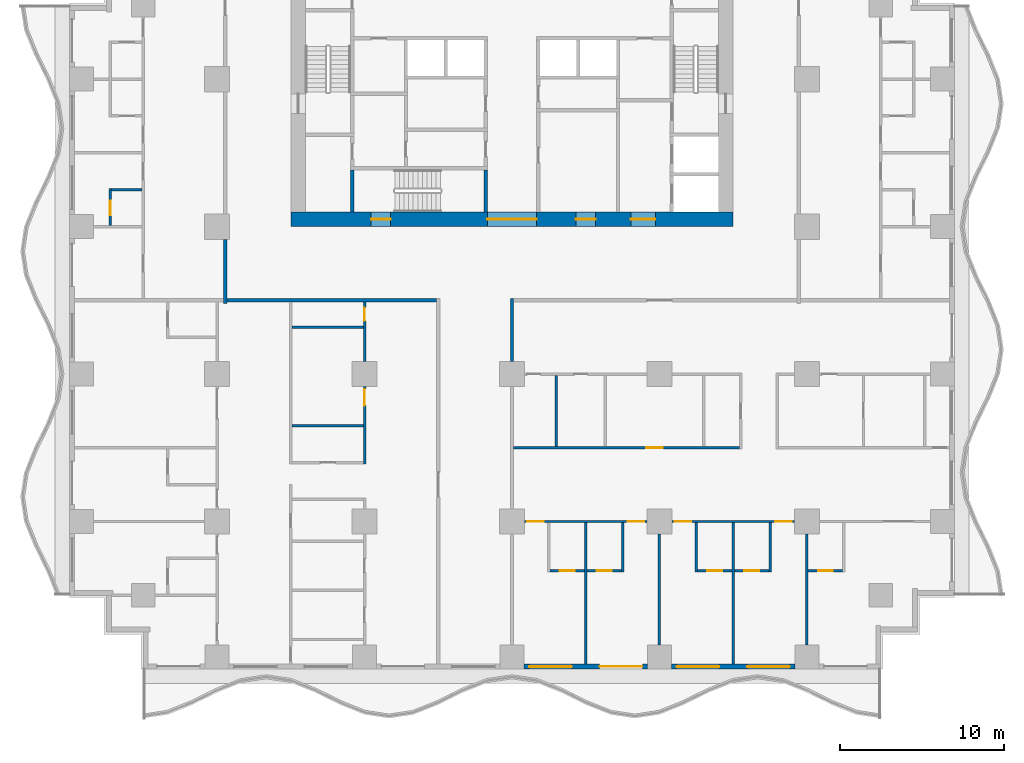
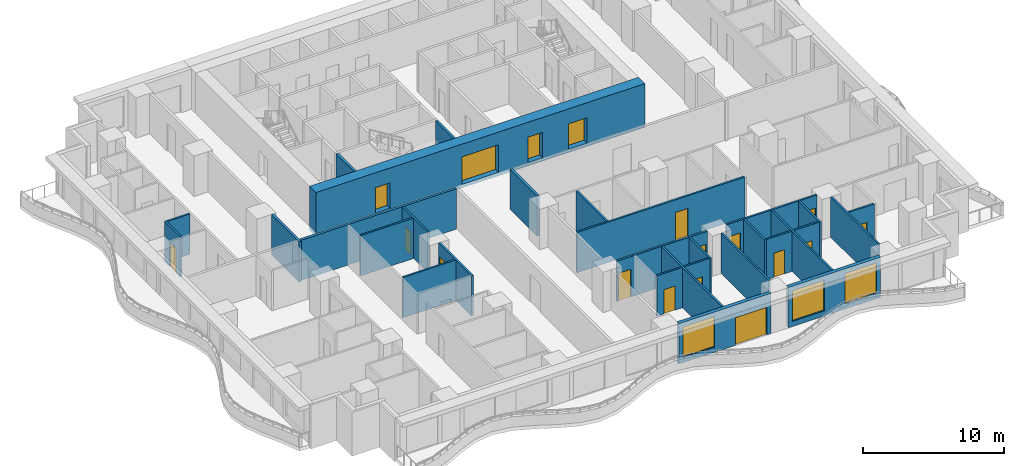
# One storey, part 3 of 14: 30 walls, 18 doors, 3 windows, 21 openings.
"""IFC4 building model written with IfcOpenShell, lengths in metres."""

from ifc_helpers import new_model, si_unit, direction, frame, frame_2d, origin, place, context, subcontext, project, spatial, rectangle, extrude, material, layer, layer_set, type_object, element, fill, save


model = new_model("IFC4")

# Units and contexts
model_context = context("Model", 3, precision=1e-05, world=origin(), true_north=direction((0.0, 1.0)))
body_context = subcontext(model_context, "Body", "Model", "MODEL_VIEW")
ifc_project = project(units=[si_unit("LENGTHUNIT", "METRE"), si_unit("AREAUNIT", "SQUARE_METRE"), si_unit("VOLUMEUNIT", "CUBIC_METRE"), si_unit("PLANEANGLEUNIT", "RADIAN"), si_unit("MASSUNIT", "GRAM", prefix="KILO")], contexts=[model_context])

# Site, building, storey
site_placement = place(None, origin())
site = spatial("IfcSite", under=ifc_project, at=site_placement, CompositionType="ELEMENT")
building_placement = place(site_placement, origin())
building = spatial("IfcBuilding", under=site, at=building_placement, Name="Orbiselva Terraces", CompositionType="ELEMENT")
storey_placement = place(building_placement, frame((0.0, 0.0, 22.6)))
storey = spatial("IfcBuildingStorey", under=building, at=storey_placement, Name="L05", CompositionType="ELEMENT", Elevation=22.6)

# Wall, openings, doors
ifc_material_1 = material(Name="Concrete C80/95", Category="concrete")
ifc_layer_1 = layer(ifc_material_1, 0.9)
ifc_layer_set_1 = layer_set([ifc_layer_1], Name="Concrete C80/95")
wall_type_1 = type_object("IfcWallType", Name="CORE WALL 900", PredefinedType="SHEAR", material=ifc_layer_set_1)
wall_1_placement = place(storey_placement, frame((-13.5, 4.95, -0.3), z_axis=(0.0, 0.0, 1.0), x_axis=(1.0, 0.0, 0.0)))
wall_1 = element("IfcWall", 1, at=wall_1_placement, inside=storey, type_object=wall_type_1, Name="Core wall L05 south", PredefinedType="SHEAR", context=body_context, shape_type="SweptSolid", body=[
    extrude(rectangle(XDim=27.0, YDim=0.9, at=frame_2d((13.5, 0.0))), origin(), (0.0, 0.0, 1.0), 3.8),
])
opening_1_placement = place(wall_1_placement, frame((12.0, 0.0, 0.3)))
opening_1 = element("IfcOpeningElement", 2, at=opening_1_placement, cuts=wall_1, Name="Opening DL3000", PredefinedType="OPENING", context=body_context, shape_type="SweptSolid", body=[
    extrude(rectangle(XDim=3.0, YDim=2.4, at=frame_2d((1.5, 1.2))), frame((0.0, 0.46, 0.0), z_axis=(0.0, -1.0, 0.0), x_axis=(1.0, 0.0, 0.0)), (0.0, 0.0, 1.0), 0.92),
])
opening_2_placement = place(wall_1_placement, frame((4.9, 0.0, 0.3)))
opening_2 = element("IfcOpeningElement", 3, at=opening_2_placement, cuts=wall_1, Name="Opening DS1200", PredefinedType="OPENING", context=body_context, shape_type="SweptSolid", body=[
    extrude(rectangle(XDim=1.2, YDim=2.2, at=frame_2d((0.6, 1.1))), frame((0.0, 0.46, 0.0), z_axis=(0.0, -1.0, 0.0), x_axis=(1.0, 0.0, 0.0)), (0.0, 0.0, 1.0), 0.92),
])
opening_3_placement = place(wall_1_placement, frame((20.75, 0.0, 0.3)))
opening_3 = element("IfcOpeningElement", 4, at=opening_3_placement, cuts=wall_1, Name="Opening DF1500", PredefinedType="OPENING", context=body_context, shape_type="SweptSolid", body=[
    extrude(rectangle(XDim=1.5, YDim=2.2, at=frame_2d((0.75, 1.1))), frame((0.0, 0.46, 0.0), z_axis=(0.0, -1.0, 0.0), x_axis=(1.0, 0.0, 0.0)), (0.0, 0.0, 1.0), 0.92),
])
opening_4_placement = place(wall_1_placement, frame((17.4, 0.0, 0.3)))
opening_4 = element("IfcOpeningElement", 5, at=opening_4_placement, cuts=wall_1, Name="Opening DV1200", PredefinedType="OPENING", context=body_context, shape_type="SweptSolid", body=[
    extrude(rectangle(XDim=1.2, YDim=2.2, at=frame_2d((0.6, 1.1))), frame((0.0, 0.46, 0.0), z_axis=(0.0, -1.0, 0.0), x_axis=(1.0, 0.0, 0.0)), (0.0, 0.0, 1.0), 0.92),
])
ifc_material_2 = material(Name="Steel fire door", Category="steel")
door_type_1 = type_object("IfcDoorType", Name="FFL DOOR 1500", OperationType="DOUBLE_DOOR_SINGLE_SWING", PredefinedType="DOOR", material=ifc_material_2)
door_1_placement = place(opening_3_placement, frame((1.5, 0.0, 0.0), z_axis=(0.0, 0.0, 1.0), x_axis=(-1.0, 0.0, 0.0)))
door_1 = element("IfcDoor", 6, at=door_1_placement, inside=storey, type_object=door_type_1, Name="L05 FIRE-FIGHTING LOBBY door", OperationType="DOUBLE_DOOR_SINGLE_SWING", OverallHeight=2.2, OverallWidth=1.5, PredefinedType="DOOR", context=body_context, shape_type="SweptSolid", body=[
    extrude(rectangle(XDim=1.5, YDim=2.2, at=frame_2d((0.75, 1.1))), frame((0.0, 0.025, 0.0), z_axis=(0.0, -1.0, 0.0), x_axis=(1.0, 0.0, 0.0)), (0.0, 0.0, 1.0), 0.05),
])
fill(opening_3, door_1)
door_type_2 = type_object("IfcDoorType", Name="LOBBY DOOR 3000", OperationType="DOUBLE_DOOR_SINGLE_SWING", PredefinedType="DOOR", material=ifc_material_2)
door_2_placement = place(opening_1_placement, frame((3.0, 0.0, 0.0), z_axis=(0.0, 0.0, 1.0), x_axis=(-1.0, 0.0, 0.0)))
door_2 = element("IfcDoor", 7, at=door_2_placement, inside=storey, type_object=door_type_2, Name="L05 LIFT LOBBY door", OperationType="DOUBLE_DOOR_SINGLE_SWING", OverallHeight=2.4, OverallWidth=3.0, PredefinedType="DOOR", context=body_context, shape_type="SweptSolid", body=[
    extrude(rectangle(XDim=3.0, YDim=2.4, at=frame_2d((1.5, 1.2))), frame((0.0, 0.025, 0.0), z_axis=(0.0, -1.0, 0.0), x_axis=(1.0, 0.0, 0.0)), (0.0, 0.0, 1.0), 0.05),
])
fill(opening_1, door_2)
door_type_3 = type_object("IfcDoorType", Name="SERVICE DOOR 1200", OperationType="NOTDEFINED", PredefinedType="DOOR", material=ifc_material_2)
door_3_placement = place(opening_4_placement, frame((1.2, 0.0, 0.0), z_axis=(0.0, 0.0, 1.0), x_axis=(-1.0, 0.0, 0.0)))
door_3 = element("IfcDoor", 8, at=door_3_placement, inside=storey, type_object=door_type_3, Name="L05 SERVICE ROOM door", OperationType="SINGLE_SWING_RIGHT", OverallHeight=2.2, OverallWidth=1.2, PredefinedType="DOOR", context=body_context, shape_type="SweptSolid", body=[
    extrude(rectangle(XDim=1.2, YDim=2.2, at=frame_2d((0.6, 1.1))), frame((0.0, 0.025, 0.0), z_axis=(0.0, -1.0, 0.0), x_axis=(1.0, 0.0, 0.0)), (0.0, 0.0, 1.0), 0.05),
])
fill(opening_4, door_3)
door_type_4 = type_object("IfcDoorType", Name="STAIR DOOR 1200", OperationType="NOTDEFINED", PredefinedType="DOOR", material=ifc_material_2)
door_4_placement = place(opening_2_placement, frame((1.2, 0.0, 0.0), z_axis=(0.0, 0.0, 1.0), x_axis=(-1.0, 0.0, 0.0)))
door_4 = element("IfcDoor", 9, at=door_4_placement, inside=storey, type_object=door_type_4, Name="L05 EXIT STAIR S3 door", OperationType="SINGLE_SWING_LEFT", OverallHeight=2.2, OverallWidth=1.2, PredefinedType="DOOR", context=body_context, shape_type="SweptSolid", body=[
    extrude(rectangle(XDim=1.2, YDim=2.2, at=frame_2d((0.6, 1.1))), frame((0.0, 0.025, 0.0), z_axis=(0.0, -1.0, 0.0), x_axis=(1.0, 0.0, 0.0)), (0.0, 0.0, 1.0), 0.05),
])
fill(opening_2, door_4)

# Walls
ifc_material_3 = material(Name="Concrete C60/75", Category="concrete")
ifc_layer_2 = layer(ifc_material_3, 0.2)
ifc_layer_set_2 = layer_set([ifc_layer_2], Name="Concrete C60/75")
wall_type_2 = type_object("IfcWallType", Name="CORE-WALL-SHEAR-200", PredefinedType="SHEAR", material=ifc_layer_set_2)
for number, where, z_axis, x_axis, name in (
    (10, (-9.75, 5.4, 0.0), (0.0, 0.0, 1.0), (0.0, 1.0, 0.0), "L05 core wall 03"),
    (11, (-1.6, 5.4, 0.0), (0.0, 0.0, 1.0), (0.0, 1.0, 0.0), "L05 core wall 24"),
):
    element("IfcWall", number, at=place(storey_placement, frame(where, z_axis=z_axis, x_axis=x_axis)), inside=storey, type_object=wall_type_2, Name=name, PredefinedType="SHEAR", context=body_context, shape_type="SweptSolid", body=[
        extrude(rectangle(XDim=2.55, YDim=0.2, at=frame_2d((1.275, 0.0))), origin(), (0.0, 0.0, 1.0), 3.5),
    ])

# Wall, openings, door, window
ifc_material_4 = material(Name="Terracotta cladding on masonry backing", Category="masonry")
ifc_layer_3 = layer(ifc_material_4, 0.3)
ifc_layer_set_3 = layer_set([ifc_layer_3], Name="Terracotta cladding on masonry backing")
wall_type_3 = type_object("IfcWallType", Name="ENV-WALL-TERRACOTTA-300", PredefinedType="SOLIDWALL", material=ifc_layer_set_3)
wall_2_placement = place(storey_placement, frame((8.275, -22.35, 0.0), z_axis=(0.0, 0.0, 1.0), x_axis=(-1.0, 0.0, 0.0)))
wall_2 = element("IfcWall", 12, at=wall_2_placement, inside=storey, type_object=wall_type_3, Name="Facade wall L05 S", PredefinedType="SOLIDWALL", context=body_context, shape_type="SweptSolid", body=[
    extrude(rectangle(XDim=7.55, YDim=0.3, at=frame_2d((3.775, 0.0))), origin(), (0.0, 0.0, 1.0), 3.5),
])
opening_5_placement = place(wall_2_placement, frame((4.625, 0.0, 0.45)))
opening_5 = element("IfcOpeningElement", 13, at=opening_5_placement, cuts=wall_2, Name="Opening WN1", PredefinedType="OPENING", context=body_context, shape_type="SweptSolid", body=[
    extrude(rectangle(XDim=2.6, YDim=2.65, at=frame_2d((1.3, 1.325))), frame((0.0, 0.16, 0.0), z_axis=(0.0, -1.0, 0.0), x_axis=(1.0, 0.0, 0.0)), (0.0, 0.0, 1.0), 0.32),
])
opening_6_placement = place(wall_2_placement, frame((0.325, 0.0, 0.0)))
opening_6 = element("IfcOpeningElement", 14, at=opening_6_placement, cuts=wall_2, Name="Opening Z1-A-E13", PredefinedType="OPENING", context=body_context, shape_type="SweptSolid", body=[
    extrude(rectangle(XDim=2.6, YDim=2.4, at=frame_2d((1.3, 1.2))), frame((0.0, 0.16, 0.0), z_axis=(0.0, -1.0, 0.0), x_axis=(1.0, 0.0, 0.0)), (0.0, 0.0, 1.0), 0.32),
])
ifc_material_5 = material(Name="Clear low-e glazing in aluminium frame", Category="aluminium")
door_type_5 = type_object("IfcDoorType", Name="BALCONY DOOR 2600 X 2400", OperationType="DOUBLE_DOOR_SLIDING", PredefinedType="DOOR", material=ifc_material_5)
door_5_placement = place(opening_6_placement, origin())
door_5 = element("IfcDoor", 15, at=door_5_placement, inside=storey, type_object=door_type_5, Name="Z1-A-E13", OperationType="SINGLE_SWING_LEFT", OverallHeight=2.4, OverallWidth=2.6, PredefinedType="DOOR", context=body_context, shape_type="SweptSolid", body=[
    extrude(rectangle(XDim=2.6, YDim=2.4, at=frame_2d((1.3, 1.2))), frame((0.0, 0.025, 0.0), z_axis=(0.0, -1.0, 0.0), x_axis=(1.0, 0.0, 0.0)), (0.0, 0.0, 1.0), 0.05),
])
fill(opening_6, door_5)
window_type = type_object("IfcWindowType", Name="WINDOW 2600 X 2650 S450", PartitioningType="TRIPLE_PANEL_VERTICAL", PredefinedType="WINDOW", material=ifc_material_5)
window_1_placement = place(opening_5_placement, origin())
window_1 = element("IfcWindow", 16, at=window_1_placement, inside=storey, type_object=window_type, Name="Window L05 S", OverallHeight=2.65, OverallWidth=2.6, PartitioningType="SINGLE_PANEL", PredefinedType="WINDOW", context=body_context, shape_type="SweptSolid", body=[
    extrude(rectangle(XDim=2.6, YDim=2.65, at=frame_2d((1.3, 1.325))), frame((0.0, 0.03, 0.0), z_axis=(0.0, -1.0, 0.0), x_axis=(1.0, 0.0, 0.0)), (0.0, 0.0, 1.0), 0.06),
])
fill(opening_5, window_1)

# Wall, openings, windows
wall_3_placement = place(storey_placement, frame((17.275, -22.35, 0.0), z_axis=(0.0, 0.0, 1.0), x_axis=(-1.0, 0.0, 0.0)))
wall_3 = element("IfcWall", 17, at=wall_3_placement, inside=storey, type_object=wall_type_3, Name="Facade wall L05 S", PredefinedType="SOLIDWALL", context=body_context, shape_type="SweptSolid", body=[
    extrude(rectangle(XDim=7.55, YDim=0.3, at=frame_2d((3.775, 0.0))), origin(), (0.0, 0.0, 1.0), 3.5),
])
opening_7_placement = place(wall_3_placement, frame((4.625, 0.0, 0.45)))
opening_7 = element("IfcOpeningElement", 18, at=opening_7_placement, cuts=wall_3, Name="Opening WN1", PredefinedType="OPENING", context=body_context, shape_type="SweptSolid", body=[
    extrude(rectangle(XDim=2.6, YDim=2.65, at=frame_2d((1.3, 1.325))), frame((0.0, 0.16, 0.0), z_axis=(0.0, -1.0, 0.0), x_axis=(1.0, 0.0, 0.0)), (0.0, 0.0, 1.0), 0.32),
])
opening_8_placement = place(wall_3_placement, frame((0.325, 0.0, 0.45)))
opening_8 = element("IfcOpeningElement", 19, at=opening_8_placement, cuts=wall_3, Name="Opening WN1", PredefinedType="OPENING", context=body_context, shape_type="SweptSolid", body=[
    extrude(rectangle(XDim=2.6, YDim=2.65, at=frame_2d((1.3, 1.325))), frame((0.0, 0.16, 0.0), z_axis=(0.0, -1.0, 0.0), x_axis=(1.0, 0.0, 0.0)), (0.0, 0.0, 1.0), 0.32),
])
window_2_placement = place(opening_7_placement, origin())
window_2 = element("IfcWindow", 20, at=window_2_placement, inside=storey, type_object=window_type, Name="Window L05 S", OverallHeight=2.65, OverallWidth=2.6, PartitioningType="SINGLE_PANEL", PredefinedType="WINDOW", context=body_context, shape_type="SweptSolid", body=[
    extrude(rectangle(XDim=2.6, YDim=2.65, at=frame_2d((1.3, 1.325))), frame((0.0, 0.03, 0.0), z_axis=(0.0, -1.0, 0.0), x_axis=(1.0, 0.0, 0.0)), (0.0, 0.0, 1.0), 0.06),
])
fill(opening_7, window_2)
window_3_placement = place(opening_8_placement, origin())
window_3 = element("IfcWindow", 21, at=window_3_placement, inside=storey, type_object=window_type, Name="Window L05 S", OverallHeight=2.65, OverallWidth=2.6, PartitioningType="SINGLE_PANEL", PredefinedType="WINDOW", context=body_context, shape_type="SweptSolid", body=[
    extrude(rectangle(XDim=2.6, YDim=2.65, at=frame_2d((1.3, 1.325))), frame((0.0, 0.03, 0.0), z_axis=(0.0, -1.0, 0.0), x_axis=(1.0, 0.0, 0.0)), (0.0, 0.0, 1.0), 0.06),
])
fill(opening_8, window_3)

# Walls
ifc_material_6 = material(Name="Plasterboard on steel stud partition", Category="steel")
ifc_layer_4 = layer(ifc_material_6, 0.2)
ifc_layer_set_4 = layer_set([ifc_layer_4], Name="Plasterboard on steel stud partition")
wall_type_4 = type_object("IfcWallType", Name="UNIT-ENTRANCE-WALL-200", PredefinedType="PARTITIONING", material=ifc_layer_set_4)
wall_4_placement = place(storey_placement, frame((-17.4, 0.0, 0.0), z_axis=(0.0, 0.0, 1.0), x_axis=(1.0, 0.0, 0.0)))
element("IfcWall", 22, at=wall_4_placement, inside=storey, type_object=wall_type_4, Name="PARTITION L05-029", PredefinedType="PARTITIONING", context=body_context, shape_type="SweptSolid", body=[
    extrude(rectangle(XDim=12.8, YDim=0.2, at=frame_2d((6.4, 0.0))), origin(), (0.0, 0.0, 1.0), 3.5),
])
wall_5_placement = place(storey_placement, frame((-17.5, -0.2, 0.0), z_axis=(0.0, 0.0, 1.0), x_axis=(0.0, 1.0, 0.0)))
element("IfcWall", 23, at=wall_5_placement, inside=storey, type_object=wall_type_4, Name="PARTITION L05-057", PredefinedType="PARTITIONING", context=body_context, shape_type="SweptSolid", body=[
    extrude(rectangle(XDim=3.925, YDim=0.2, at=frame_2d((1.9625, 0.0))), origin(), (0.0, 0.0, 1.0), 3.5),
])
wall_6_placement = place(storey_placement, frame((0.0, -3.725, 0.0), z_axis=(0.0, 0.0, 1.0), x_axis=(0.0, 1.0, 0.0)))
element("IfcWall", 24, at=wall_6_placement, inside=storey, type_object=wall_type_4, Name="PARTITION L05-069", PredefinedType="PARTITIONING", context=body_context, shape_type="SweptSolid", body=[
    extrude(rectangle(XDim=3.825, YDim=0.2, at=frame_2d((1.9125, 0.0))), origin(), (0.0, 0.0, 1.0), 3.5),
])

# Wall, opening, door
ifc_layer_5 = layer(ifc_material_6, 0.15)
ifc_layer_set_5 = layer_set([ifc_layer_5], Name="Plasterboard on steel stud partition")
wall_type_5 = type_object("IfcWallType", Name="UNIT-PARTITION-150", PredefinedType="PARTITIONING", material=ifc_layer_set_5)
wall_7_placement = place(storey_placement, frame((2.325, -16.5, 0.0), z_axis=(0.0, 0.0, 1.0), x_axis=(1.0, 0.0, 0.0)))
wall_7 = element("IfcWall", 25, at=wall_7_placement, inside=storey, type_object=wall_type_5, Name="PARTITION L05-005", PredefinedType="PARTITIONING", context=body_context, shape_type="SweptSolid", body=[
    extrude(rectangle(XDim=2.1, YDim=0.15, at=frame_2d((1.05, 0.0))), origin(), (0.0, 0.0, 1.0), 3.5),
])
opening_9_placement = place(wall_7_placement, frame((0.6, 0.0, 0.0)))
opening_9 = element("IfcOpeningElement", 26, at=opening_9_placement, cuts=wall_7, Name="Opening Z1-A-41", PredefinedType="OPENING", context=body_context, shape_type="SweptSolid", body=[
    extrude(rectangle(XDim=0.9, YDim=2.1, at=frame_2d((0.45, 1.05))), frame((0.0, 0.085, 0.0), z_axis=(0.0, -1.0, 0.0), x_axis=(1.0, 0.0, 0.0)), (0.0, 0.0, 1.0), 0.17),
])
ifc_material_7 = material(Name="Painted timber door leaf", Category="wood")
door_type_6 = type_object("IfcDoorType", Name="BATH DOOR 900", OperationType="NOTDEFINED", PredefinedType="DOOR", material=ifc_material_7)
door_6_placement = place(opening_9_placement, origin())
door_6 = element("IfcDoor", 27, at=door_6_placement, inside=storey, type_object=door_type_6, Name="Z1-A-41", OperationType="SINGLE_SWING_RIGHT", OverallHeight=2.1, OverallWidth=0.9, PredefinedType="DOOR", context=body_context, shape_type="SweptSolid", body=[
    extrude(rectangle(XDim=0.9, YDim=2.1, at=frame_2d((0.45, 1.05))), frame((0.0, 0.025, 0.0), z_axis=(0.0, -1.0, 0.0), x_axis=(1.0, 0.0, 0.0)), (0.0, 0.0, 1.0), 0.05),
])
fill(opening_9, door_6)

wall_8_placement = place(storey_placement, frame((4.575, -16.5, 0.0), z_axis=(0.0, 0.0, 1.0), x_axis=(1.0, 0.0, 0.0)))
wall_8 = element("IfcWall", 28, at=wall_8_placement, inside=storey, type_object=wall_type_5, Name="PARTITION L05-006", PredefinedType="PARTITIONING", context=body_context, shape_type="SweptSolid", body=[
    extrude(rectangle(XDim=2.1, YDim=0.15, at=frame_2d((1.05, 0.0))), origin(), (0.0, 0.0, 1.0), 3.5),
])
opening_10_placement = place(wall_8_placement, frame((0.6, 0.0, 0.0)))
opening_10 = element("IfcOpeningElement", 29, at=opening_10_placement, cuts=wall_8, Name="Opening Z1-A-43", PredefinedType="OPENING", context=body_context, shape_type="SweptSolid", body=[
    extrude(rectangle(XDim=0.9, YDim=2.1, at=frame_2d((0.45, 1.05))), frame((0.0, 0.085, 0.0), z_axis=(0.0, -1.0, 0.0), x_axis=(1.0, 0.0, 0.0)), (0.0, 0.0, 1.0), 0.17),
])
door_7_placement = place(opening_10_placement, origin())
door_7 = element("IfcDoor", 30, at=door_7_placement, inside=storey, type_object=door_type_6, Name="Z1-A-43", OperationType="SINGLE_SWING_LEFT", OverallHeight=2.1, OverallWidth=0.9, PredefinedType="DOOR", context=body_context, shape_type="SweptSolid", body=[
    extrude(rectangle(XDim=0.9, YDim=2.1, at=frame_2d((0.45, 1.05))), frame((0.0, 0.025, 0.0), z_axis=(0.0, -1.0, 0.0), x_axis=(1.0, 0.0, 0.0)), (0.0, 0.0, 1.0), 0.05),
])
fill(opening_10, door_7)

wall_9_placement = place(storey_placement, frame((11.325, -16.5, 0.0), z_axis=(0.0, 0.0, 1.0), x_axis=(1.0, 0.0, 0.0)))
wall_9 = element("IfcWall", 31, at=wall_9_placement, inside=storey, type_object=wall_type_5, Name="PARTITION L05-007", PredefinedType="PARTITIONING", context=body_context, shape_type="SweptSolid", body=[
    extrude(rectangle(XDim=2.1, YDim=0.15, at=frame_2d((1.05, 0.0))), origin(), (0.0, 0.0, 1.0), 3.5),
])
opening_11_placement = place(wall_9_placement, frame((0.6, 0.0, 0.0)))
opening_11 = element("IfcOpeningElement", 32, at=opening_11_placement, cuts=wall_9, Name="Opening Z1-A-45", PredefinedType="OPENING", context=body_context, shape_type="SweptSolid", body=[
    extrude(rectangle(XDim=0.9, YDim=2.1, at=frame_2d((0.45, 1.05))), frame((0.0, 0.085, 0.0), z_axis=(0.0, -1.0, 0.0), x_axis=(1.0, 0.0, 0.0)), (0.0, 0.0, 1.0), 0.17),
])
door_8_placement = place(opening_11_placement, origin())
door_8 = element("IfcDoor", 33, at=door_8_placement, inside=storey, type_object=door_type_6, Name="Z1-A-45", OperationType="SINGLE_SWING_LEFT", OverallHeight=2.1, OverallWidth=0.9, PredefinedType="DOOR", context=body_context, shape_type="SweptSolid", body=[
    extrude(rectangle(XDim=0.9, YDim=2.1, at=frame_2d((0.45, 1.05))), frame((0.0, 0.025, 0.0), z_axis=(0.0, -1.0, 0.0), x_axis=(1.0, 0.0, 0.0)), (0.0, 0.0, 1.0), 0.05),
])
fill(opening_11, door_8)

wall_10_placement = place(storey_placement, frame((13.575, -16.5, 0.0), z_axis=(0.0, 0.0, 1.0), x_axis=(1.0, 0.0, 0.0)))
wall_10 = element("IfcWall", 34, at=wall_10_placement, inside=storey, type_object=wall_type_5, Name="PARTITION L05-008", PredefinedType="PARTITIONING", context=body_context, shape_type="SweptSolid", body=[
    extrude(rectangle(XDim=2.1, YDim=0.15, at=frame_2d((1.05, 0.0))), origin(), (0.0, 0.0, 1.0), 3.5),
])
opening_12_placement = place(wall_10_placement, frame((0.6, 0.0, 0.0)))
opening_12 = element("IfcOpeningElement", 35, at=opening_12_placement, cuts=wall_10, Name="Opening Z1-A-47", PredefinedType="OPENING", context=body_context, shape_type="SweptSolid", body=[
    extrude(rectangle(XDim=0.9, YDim=2.1, at=frame_2d((0.45, 1.05))), frame((0.0, 0.085, 0.0), z_axis=(0.0, -1.0, 0.0), x_axis=(1.0, 0.0, 0.0)), (0.0, 0.0, 1.0), 0.17),
])
door_9_placement = place(opening_12_placement, origin())
door_9 = element("IfcDoor", 36, at=door_9_placement, inside=storey, type_object=door_type_6, Name="Z1-A-47", OperationType="SINGLE_SWING_LEFT", OverallHeight=2.1, OverallWidth=0.9, PredefinedType="DOOR", context=body_context, shape_type="SweptSolid", body=[
    extrude(rectangle(XDim=0.9, YDim=2.1, at=frame_2d((0.45, 1.05))), frame((0.0, 0.025, 0.0), z_axis=(0.0, -1.0, 0.0), x_axis=(1.0, 0.0, 0.0)), (0.0, 0.0, 1.0), 0.05),
])
fill(opening_12, door_9)

wall_11_placement = place(storey_placement, frame((18.075, -16.5, 0.0), z_axis=(0.0, 0.0, 1.0), x_axis=(1.0, 0.0, 0.0)))
wall_11 = element("IfcWall", 37, at=wall_11_placement, inside=storey, type_object=wall_type_5, Name="PARTITION L05-009", PredefinedType="PARTITIONING", context=body_context, shape_type="SweptSolid", body=[
    extrude(rectangle(XDim=2.1, YDim=0.15, at=frame_2d((1.05, 0.0))), origin(), (0.0, 0.0, 1.0), 3.5),
])
opening_13_placement = place(wall_11_placement, frame((0.6, 0.0, 0.0)))
opening_13 = element("IfcOpeningElement", 38, at=opening_13_placement, cuts=wall_11, Name="Opening Z1-A-49", PredefinedType="OPENING", context=body_context, shape_type="SweptSolid", body=[
    extrude(rectangle(XDim=0.9, YDim=2.1, at=frame_2d((0.45, 1.05))), frame((0.0, 0.085, 0.0), z_axis=(0.0, -1.0, 0.0), x_axis=(1.0, 0.0, 0.0)), (0.0, 0.0, 1.0), 0.17),
])
door_10_placement = place(opening_13_placement, origin())
door_10 = element("IfcDoor", 39, at=door_10_placement, inside=storey, type_object=door_type_6, Name="Z1-A-49", OperationType="SINGLE_SWING_LEFT", OverallHeight=2.1, OverallWidth=0.9, PredefinedType="DOOR", context=body_context, shape_type="SweptSolid", body=[
    extrude(rectangle(XDim=0.9, YDim=2.1, at=frame_2d((0.45, 1.05))), frame((0.0, 0.025, 0.0), z_axis=(0.0, -1.0, 0.0), x_axis=(1.0, 0.0, 0.0)), (0.0, 0.0, 1.0), 0.05),
])
fill(opening_13, door_10)

# Wall, openings, doors
wall_12_placement = place(storey_placement, frame((8.225, -13.5, 0.0), z_axis=(0.0, 0.0, 1.0), x_axis=(-1.0, 0.0, 0.0)))
wall_12 = element("IfcWall", 40, at=wall_12_placement, inside=storey, type_object=wall_type_5, Name="PARTITION L05-013", PredefinedType="PARTITIONING", context=body_context, shape_type="SweptSolid", body=[
    extrude(rectangle(XDim=7.45, YDim=0.15, at=frame_2d((3.725, 0.0))), origin(), (0.0, 0.0, 1.0), 3.5),
])
opening_14_placement = place(wall_12_placement, frame((6.3, 0.0, 0.0)))
opening_14 = element("IfcOpeningElement", 41, at=opening_14_placement, cuts=wall_12, Name="Opening Z1-A-40", PredefinedType="OPENING", context=body_context, shape_type="SweptSolid", body=[
    extrude(rectangle(XDim=1.0, YDim=2.4, at=frame_2d((0.5, 1.2))), frame((0.0, 0.085, 0.0), z_axis=(0.0, -1.0, 0.0), x_axis=(1.0, 0.0, 0.0)), (0.0, 0.0, 1.0), 0.17),
])
opening_15_placement = place(wall_12_placement, frame((0.15, 0.0, 0.0)))
opening_15 = element("IfcOpeningElement", 42, at=opening_15_placement, cuts=wall_12, Name="Opening Z1-A-42", PredefinedType="OPENING", context=body_context, shape_type="SweptSolid", body=[
    extrude(rectangle(XDim=1.0, YDim=2.4, at=frame_2d((0.5, 1.2))), frame((0.0, 0.085, 0.0), z_axis=(0.0, -1.0, 0.0), x_axis=(1.0, 0.0, 0.0)), (0.0, 0.0, 1.0), 0.17),
])
door_type_7 = type_object("IfcDoorType", Name="ROOM DOOR 1000", OperationType="NOTDEFINED", PredefinedType="DOOR", material=ifc_material_7)
door_11_placement = place(opening_14_placement, origin())
door_11 = element("IfcDoor", 43, at=door_11_placement, inside=storey, type_object=door_type_7, Name="Z1-A-40", OperationType="SINGLE_SWING_RIGHT", OverallHeight=2.4, OverallWidth=1.0, PredefinedType="DOOR", context=body_context, shape_type="SweptSolid", body=[
    extrude(rectangle(XDim=1.0, YDim=2.4, at=frame_2d((0.5, 1.2))), frame((0.0, 0.025, 0.0), z_axis=(0.0, -1.0, 0.0), x_axis=(1.0, 0.0, 0.0)), (0.0, 0.0, 1.0), 0.05),
])
fill(opening_14, door_11)
door_12_placement = place(opening_15_placement, origin())
door_12 = element("IfcDoor", 44, at=door_12_placement, inside=storey, type_object=door_type_7, Name="Z1-A-42", OperationType="SINGLE_SWING_LEFT", OverallHeight=2.4, OverallWidth=1.0, PredefinedType="DOOR", context=body_context, shape_type="SweptSolid", body=[
    extrude(rectangle(XDim=1.0, YDim=2.4, at=frame_2d((0.5, 1.2))), frame((0.0, 0.025, 0.0), z_axis=(0.0, -1.0, 0.0), x_axis=(1.0, 0.0, 0.0)), (0.0, 0.0, 1.0), 0.05),
])
fill(opening_15, door_12)

wall_13_placement = place(storey_placement, frame((17.225, -13.5, 0.0), z_axis=(0.0, 0.0, 1.0), x_axis=(-1.0, 0.0, 0.0)))
wall_13 = element("IfcWall", 45, at=wall_13_placement, inside=storey, type_object=wall_type_5, Name="PARTITION L05-014", PredefinedType="PARTITIONING", context=body_context, shape_type="SweptSolid", body=[
    extrude(rectangle(XDim=7.45, YDim=0.15, at=frame_2d((3.725, 0.0))), origin(), (0.0, 0.0, 1.0), 3.5),
])
opening_16_placement = place(wall_13_placement, frame((6.3, 0.0, 0.0)))
opening_16 = element("IfcOpeningElement", 46, at=opening_16_placement, cuts=wall_13, Name="Opening Z1-A-44", PredefinedType="OPENING", context=body_context, shape_type="SweptSolid", body=[
    extrude(rectangle(XDim=1.0, YDim=2.4, at=frame_2d((0.5, 1.2))), frame((0.0, 0.085, 0.0), z_axis=(0.0, -1.0, 0.0), x_axis=(1.0, 0.0, 0.0)), (0.0, 0.0, 1.0), 0.17),
])
opening_17_placement = place(wall_13_placement, frame((0.15, 0.0, 0.0)))
opening_17 = element("IfcOpeningElement", 47, at=opening_17_placement, cuts=wall_13, Name="Opening Z1-A-46", PredefinedType="OPENING", context=body_context, shape_type="SweptSolid", body=[
    extrude(rectangle(XDim=1.0, YDim=2.4, at=frame_2d((0.5, 1.2))), frame((0.0, 0.085, 0.0), z_axis=(0.0, -1.0, 0.0), x_axis=(1.0, 0.0, 0.0)), (0.0, 0.0, 1.0), 0.17),
])
door_13_placement = place(opening_16_placement, origin())
door_13 = element("IfcDoor", 48, at=door_13_placement, inside=storey, type_object=door_type_7, Name="Z1-A-44", OperationType="SINGLE_SWING_RIGHT", OverallHeight=2.4, OverallWidth=1.0, PredefinedType="DOOR", context=body_context, shape_type="SweptSolid", body=[
    extrude(rectangle(XDim=1.0, YDim=2.4, at=frame_2d((0.5, 1.2))), frame((0.0, 0.025, 0.0), z_axis=(0.0, -1.0, 0.0), x_axis=(1.0, 0.0, 0.0)), (0.0, 0.0, 1.0), 0.05),
])
fill(opening_16, door_13)
door_14_placement = place(opening_17_placement, origin())
door_14 = element("IfcDoor", 49, at=door_14_placement, inside=storey, type_object=door_type_7, Name="Z1-A-46", OperationType="SINGLE_SWING_LEFT", OverallHeight=2.4, OverallWidth=1.0, PredefinedType="DOOR", context=body_context, shape_type="SweptSolid", body=[
    extrude(rectangle(XDim=1.0, YDim=2.4, at=frame_2d((0.5, 1.2))), frame((0.0, 0.025, 0.0), z_axis=(0.0, -1.0, 0.0), x_axis=(1.0, 0.0, 0.0)), (0.0, 0.0, 1.0), 0.05),
])
fill(opening_17, door_14)

# Wall, opening, door
wall_14_placement = place(storey_placement, frame((0.1, -9.0, 0.0), z_axis=(0.0, 0.0, 1.0), x_axis=(1.0, 0.0, 0.0)))
wall_14 = element("IfcWall", 50, at=wall_14_placement, inside=storey, type_object=wall_type_5, Name="PARTITION L05-020", PredefinedType="PARTITIONING", context=body_context, shape_type="SweptSolid", body=[
    extrude(rectangle(XDim=13.775, YDim=0.15, at=frame_2d((6.8875, 0.0))), origin(), (0.0, 0.0, 1.0), 3.5),
])
opening_18_placement = place(wall_14_placement, frame((8.1, 0.0, 0.0)))
opening_18 = element("IfcOpeningElement", 51, at=opening_18_placement, cuts=wall_14, Name="Opening Z1-A-35", PredefinedType="OPENING", context=body_context, shape_type="SweptSolid", body=[
    extrude(rectangle(XDim=1.0, YDim=2.4, at=frame_2d((0.5, 1.2))), frame((0.0, 0.085, 0.0), z_axis=(0.0, -1.0, 0.0), x_axis=(1.0, 0.0, 0.0)), (0.0, 0.0, 1.0), 0.17),
])
door_15_placement = place(opening_18_placement, origin())
door_15 = element("IfcDoor", 52, at=door_15_placement, inside=storey, type_object=door_type_7, Name="Z1-A-35", OperationType="SINGLE_SWING_RIGHT", OverallHeight=2.4, OverallWidth=1.0, PredefinedType="DOOR", context=body_context, shape_type="SweptSolid", body=[
    extrude(rectangle(XDim=1.0, YDim=2.4, at=frame_2d((0.5, 1.2))), frame((0.0, 0.025, 0.0), z_axis=(0.0, -1.0, 0.0), x_axis=(1.0, 0.0, 0.0)), (0.0, 0.0, 1.0), 0.05),
])
fill(opening_18, door_15)

# Walls
for number, where, z_axis, x_axis, name in (
    (53, (-13.425, -7.65, 0.0), (0.0, 0.0, 1.0), (1.0, 0.0, 0.0), "PARTITION L05-022"),
    (54, (-13.425, -1.65, 0.0), (0.0, 0.0, 1.0), (1.0, 0.0, 0.0), "PARTITION L05-028"),
):
    element("IfcWall", number, at=place(storey_placement, frame(where, z_axis=z_axis, x_axis=x_axis)), inside=storey, type_object=wall_type_5, Name=name, PredefinedType="PARTITIONING", context=body_context, shape_type="SweptSolid", body=[
        extrude(rectangle(XDim=4.35, YDim=0.15, at=frame_2d((2.175, 0.0))), origin(), (0.0, 0.0, 1.0), 3.5),
    ])
wall_15_placement = place(storey_placement, frame((-24.45, 6.75, 0.0), z_axis=(0.0, 0.0, 1.0), x_axis=(1.0, 0.0, 0.0)))
element("IfcWall", 55, at=wall_15_placement, inside=storey, type_object=wall_type_5, Name="PARTITION L05-035", PredefinedType="PARTITIONING", context=body_context, shape_type="SweptSolid", body=[
    extrude(rectangle(XDim=1.875, YDim=0.15, at=frame_2d((0.9375, 0.0))), origin(), (0.0, 0.0, 1.0), 3.5),
])

# Wall, opening, door
wall_16_placement = place(storey_placement, frame((-24.525, 6.825, 0.0), z_axis=(0.0, 0.0, 1.0), x_axis=(0.0, -1.0, 0.0)))
wall_16 = element("IfcWall", 56, at=wall_16_placement, inside=storey, type_object=wall_type_5, Name="PARTITION L05-047", PredefinedType="PARTITIONING", context=body_context, shape_type="SweptSolid", body=[
    extrude(rectangle(XDim=2.25, YDim=0.15, at=frame_2d((1.125, 0.0))), origin(), (0.0, 0.0, 1.0), 3.5),
])
opening_19_placement = place(wall_16_placement, frame((0.75, 0.0, 0.0)))
opening_19 = element("IfcOpeningElement", 57, at=opening_19_placement, cuts=wall_16, Name="Opening Z1-A-04", PredefinedType="OPENING", context=body_context, shape_type="SweptSolid", body=[
    extrude(rectangle(XDim=0.9, YDim=2.1, at=frame_2d((0.45, 1.05))), frame((0.0, 0.085, 0.0), z_axis=(0.0, -1.0, 0.0), x_axis=(1.0, 0.0, 0.0)), (0.0, 0.0, 1.0), 0.17),
])
door_16_placement = place(opening_19_placement, origin())
door_16 = element("IfcDoor", 58, at=door_16_placement, inside=storey, type_object=door_type_6, Name="Z1-A-04", OperationType="SINGLE_SWING_RIGHT", OverallHeight=2.1, OverallWidth=0.9, PredefinedType="DOOR", context=body_context, shape_type="SweptSolid", body=[
    extrude(rectangle(XDim=0.9, YDim=2.1, at=frame_2d((0.45, 1.05))), frame((0.0, 0.025, 0.0), z_axis=(0.0, -1.0, 0.0), x_axis=(1.0, 0.0, 0.0)), (0.0, 0.0, 1.0), 0.05),
])
fill(opening_19, door_16)

wall_17_placement = place(storey_placement, frame((-9.0, -9.975, 0.0), z_axis=(0.0, 0.0, 1.0), x_axis=(0.0, 1.0, 0.0)))
wall_17 = element("IfcWall", 59, at=wall_17_placement, inside=storey, type_object=wall_type_5, Name="PARTITION L05-064", PredefinedType="PARTITIONING", context=body_context, shape_type="SweptSolid", body=[
    extrude(rectangle(XDim=4.7, YDim=0.15, at=frame_2d((2.35, 0.0))), origin(), (0.0, 0.0, 1.0), 3.5),
])
opening_20_placement = place(wall_17_placement, frame((3.55, 0.0, 0.0)))
opening_20 = element("IfcOpeningElement", 60, at=opening_20_placement, cuts=wall_17, Name="Opening Z1-A-19", PredefinedType="OPENING", context=body_context, shape_type="SweptSolid", body=[
    extrude(rectangle(XDim=1.0, YDim=2.4, at=frame_2d((0.5, 1.2))), frame((0.0, 0.085, 0.0), z_axis=(0.0, -1.0, 0.0), x_axis=(1.0, 0.0, 0.0)), (0.0, 0.0, 1.0), 0.17),
])
door_17_placement = place(opening_20_placement, origin())
door_17 = element("IfcDoor", 61, at=door_17_placement, inside=storey, type_object=door_type_7, Name="Z1-A-19", OperationType="SINGLE_SWING_RIGHT", OverallHeight=2.4, OverallWidth=1.0, PredefinedType="DOOR", context=body_context, shape_type="SweptSolid", body=[
    extrude(rectangle(XDim=1.0, YDim=2.4, at=frame_2d((0.5, 1.2))), frame((0.0, 0.025, 0.0), z_axis=(0.0, -1.0, 0.0), x_axis=(1.0, 0.0, 0.0)), (0.0, 0.0, 1.0), 0.05),
])
fill(opening_20, door_17)

wall_18_placement = place(storey_placement, frame((-9.0, -3.725, 0.0), z_axis=(0.0, 0.0, 1.0), x_axis=(0.0, 1.0, 0.0)))
wall_18 = element("IfcWall", 62, at=wall_18_placement, inside=storey, type_object=wall_type_5, Name="PARTITION L05-065", PredefinedType="PARTITIONING", context=body_context, shape_type="SweptSolid", body=[
    extrude(rectangle(XDim=3.625, YDim=0.15, at=frame_2d((1.8125, 0.0))), origin(), (0.0, 0.0, 1.0), 3.5),
])
opening_21_placement = place(wall_18_placement, frame((2.475, 0.0, 0.0)))
opening_21 = element("IfcOpeningElement", 63, at=opening_21_placement, cuts=wall_18, Name="Opening Z1-A-18", PredefinedType="OPENING", context=body_context, shape_type="SweptSolid", body=[
    extrude(rectangle(XDim=0.8, YDim=2.0, at=frame_2d((0.4, 1.0))), frame((0.0, 0.085, 0.0), z_axis=(0.0, -1.0, 0.0), x_axis=(1.0, 0.0, 0.0)), (0.0, 0.0, 1.0), 0.17),
])
door_type_8 = type_object("IfcDoorType", Name="STORE DOOR 800", OperationType="NOTDEFINED", PredefinedType="DOOR", material=ifc_material_7)
door_18_placement = place(opening_21_placement, origin())
door_18 = element("IfcDoor", 64, at=door_18_placement, inside=storey, type_object=door_type_8, Name="Z1-A-18", OperationType="SINGLE_SWING_RIGHT", OverallHeight=2.0, OverallWidth=0.8, PredefinedType="DOOR", context=body_context, shape_type="SweptSolid", body=[
    extrude(rectangle(XDim=0.8, YDim=2.0, at=frame_2d((0.4, 1.0))), frame((0.0, 0.025, 0.0), z_axis=(0.0, -1.0, 0.0), x_axis=(1.0, 0.0, 0.0)), (0.0, 0.0, 1.0), 0.05),
])
fill(opening_21, door_18)

# Walls
wall_19_placement = place(storey_placement, frame((2.7, -8.925, 0.0), z_axis=(0.0, 0.0, 1.0), x_axis=(0.0, 1.0, 0.0)))
element("IfcWall", 65, at=wall_19_placement, inside=storey, type_object=wall_type_5, Name="PARTITION L05-071", PredefinedType="PARTITIONING", context=body_context, shape_type="SweptSolid", body=[
    extrude(rectangle(XDim=4.35, YDim=0.15, at=frame_2d((2.175, 0.0))), origin(), (0.0, 0.0, 1.0), 3.5),
])
wall_20_placement = place(storey_placement, frame((4.5, -22.2, 0.0), z_axis=(0.0, 0.0, 1.0), x_axis=(0.0, 1.0, 0.0)))
element("IfcWall", 66, at=wall_20_placement, inside=storey, type_object=wall_type_5, Name="PARTITION L05-072", PredefinedType="PARTITIONING", context=body_context, shape_type="SweptSolid", body=[
    extrude(rectangle(XDim=8.625, YDim=0.15, at=frame_2d((4.3125, 0.0))), origin(), (0.0, 0.0, 1.0), 3.5),
])
wall_21_placement = place(storey_placement, frame((6.75, -16.575, 0.0), z_axis=(0.0, 0.0, 1.0), x_axis=(0.0, 1.0, 0.0)))
element("IfcWall", 67, at=wall_21_placement, inside=storey, type_object=wall_type_5, Name="PARTITION L05-074", PredefinedType="PARTITIONING", context=body_context, shape_type="SweptSolid", body=[
    extrude(rectangle(XDim=3.0, YDim=0.15, at=frame_2d((1.5, 0.0))), origin(), (0.0, 0.0, 1.0), 3.5),
])
wall_22_placement = place(storey_placement, frame((9.0, -21.05, 0.0), z_axis=(0.0, 0.0, 1.0), x_axis=(0.0, 1.0, 0.0)))
element("IfcWall", 68, at=wall_22_placement, inside=storey, type_object=wall_type_5, Name="PARTITION L05-075", PredefinedType="PARTITIONING", context=body_context, shape_type="SweptSolid", body=[
    extrude(rectangle(XDim=6.775, YDim=0.15, at=frame_2d((3.3875, 0.0))), origin(), (0.0, 0.0, 1.0), 3.5),
])
wall_23_placement = place(storey_placement, frame((11.25, -16.575, 0.0), z_axis=(0.0, 0.0, 1.0), x_axis=(0.0, 1.0, 0.0)))
element("IfcWall", 69, at=wall_23_placement, inside=storey, type_object=wall_type_5, Name="PARTITION L05-076", PredefinedType="PARTITIONING", context=body_context, shape_type="SweptSolid", body=[
    extrude(rectangle(XDim=3.0, YDim=0.15, at=frame_2d((1.5, 0.0))), origin(), (0.0, 0.0, 1.0), 3.5),
])
wall_24_placement = place(storey_placement, frame((13.5, -22.2, 0.0), z_axis=(0.0, 0.0, 1.0), x_axis=(0.0, 1.0, 0.0)))
element("IfcWall", 70, at=wall_24_placement, inside=storey, type_object=wall_type_5, Name="PARTITION L05-078", PredefinedType="PARTITIONING", context=body_context, shape_type="SweptSolid", body=[
    extrude(rectangle(XDim=8.625, YDim=0.15, at=frame_2d((4.3125, 0.0))), origin(), (0.0, 0.0, 1.0), 3.5),
])
wall_25_placement = place(storey_placement, frame((15.75, -16.575, 0.0), z_axis=(0.0, 0.0, 1.0), x_axis=(0.0, 1.0, 0.0)))
element("IfcWall", 71, at=wall_25_placement, inside=storey, type_object=wall_type_5, Name="PARTITION L05-080", PredefinedType="PARTITIONING", context=body_context, shape_type="SweptSolid", body=[
    extrude(rectangle(XDim=3.0, YDim=0.15, at=frame_2d((1.5, 0.0))), origin(), (0.0, 0.0, 1.0), 3.5),
])
wall_26_placement = place(storey_placement, frame((18.0, -21.05, 0.0), z_axis=(0.0, 0.0, 1.0), x_axis=(0.0, 1.0, 0.0)))
element("IfcWall", 72, at=wall_26_placement, inside=storey, type_object=wall_type_5, Name="PARTITION L05-085", PredefinedType="PARTITIONING", context=body_context, shape_type="SweptSolid", body=[
    extrude(rectangle(XDim=6.775, YDim=0.15, at=frame_2d((3.3875, 0.0))), origin(), (0.0, 0.0, 1.0), 3.5),
])

save(model, "model.ifc")
